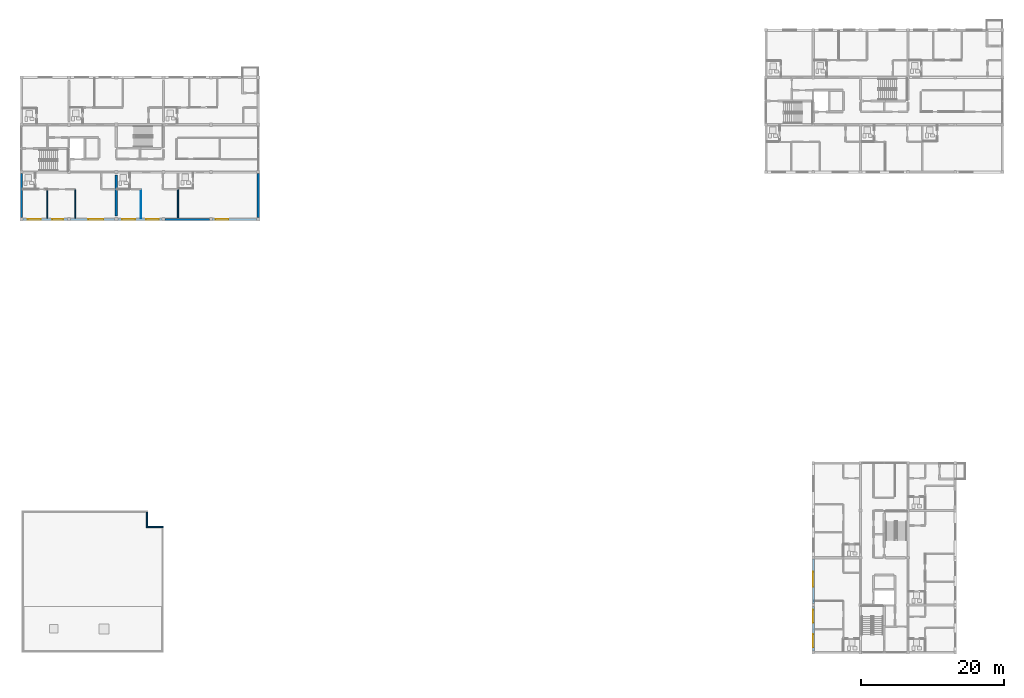
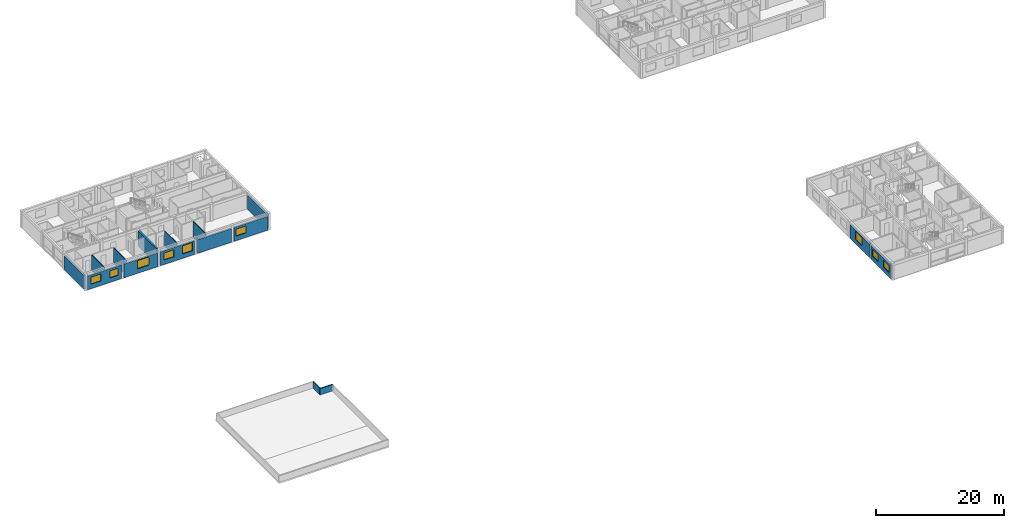
# One storey, part 16 of 34: 16 walls, 9 windows, 9 openings.
"""IFC4 building model written with IfcOpenShell, lengths in metres."""

from ifc_helpers import new_model, si_unit, direction, frame, frame_2d, origin, place, context, subcontext, project, spatial, rectangle, extrude, material, layer, layer_set, type_object, element, fill, save


model = new_model("IFC4")

# Units and contexts
model_context = context("Model", 3, precision=1e-05, world=origin(), true_north=direction((0.0, 1.0)))
body_context = subcontext(model_context, "Body", "Model", "MODEL_VIEW")
ifc_project = project(units=[si_unit("LENGTHUNIT", "METRE"), si_unit("AREAUNIT", "SQUARE_METRE"), si_unit("VOLUMEUNIT", "CUBIC_METRE"), si_unit("PLANEANGLEUNIT", "RADIAN"), si_unit("MASSUNIT", "GRAM", prefix="KILO")], contexts=[model_context])

# Site, building, storey
site_placement = place(None, origin())
site = spatial("IfcSite", under=ifc_project, at=site_placement, CompositionType="ELEMENT")
building_placement = place(site_placement, origin())
building = spatial("IfcBuilding", under=site, at=building_placement, Name="Kernevlak Ridge Housing Community", CompositionType="ELEMENT")
storey_placement = place(building_placement, frame((0.0, 0.0, 34.0)))
storey = spatial("IfcBuildingStorey", under=building, at=storey_placement, Name="L10", CompositionType="ELEMENT", Elevation=34.0)

# Wall, openings, windows
ifc_material_1 = material(Name="Concrete block masonry M10", Category="masonry")
ifc_layer_1 = layer(ifc_material_1, 0.280029296875, Name="Concrete block masonry M10")
ifc_layer_set_1 = layer_set([ifc_layer_1], Name="Concrete block masonry M10")
wall_type_1 = type_object("IfcWallType", Name="EW-03", PredefinedType="STANDARD", material=ifc_layer_set_1)
wall_1_placement = place(storey_placement, frame((15.824951171875, 76.0, 0.0), z_axis=(0.0, 0.0, 1.0), x_axis=(1.0, 0.0, 0.0)))
wall_1 = element("IfcWall", 1, at=wall_1_placement, inside=storey, type_object=wall_type_1, Name="Exterior wall EW-03 L10 157", PredefinedType="STANDARD", context=body_context, shape_type="SweptSolid", body=[
    extrude(rectangle(XDim=6.150146484375, YDim=0.280029296875, at=frame_2d((3.0751953125, 0.0))), origin(), (0.0, 0.0, 1.0), 2.60009765625),
])
opening_1_placement = place(wall_1_placement, frame((0.64990234375, 0.0, 0.85009765625)))
opening_1 = element("IfcOpeningElement", 2, at=opening_1_placement, cuts=wall_1, Name="Opening WT-03", PredefinedType="OPENING", context=body_context, shape_type="SweptSolid", body=[
    extrude(rectangle(XDim=1.800048828125, YDim=1.35009765625, at=frame_2d((0.89990234375, 0.675048828125))), frame((0.0, 0.14990234375, 0.0), z_axis=(0.0, -1.0, 0.0), x_axis=(1.0, 0.0, 0.0)), (0.0, 0.0, 1.0), 0.300048828125),
])
opening_2_placement = place(wall_1_placement, frame((4.074951171875, 0.0, 0.85009765625)))
opening_2 = element("IfcOpeningElement", 3, at=opening_2_placement, cuts=wall_1, Name="Opening WT-02", PredefinedType="OPENING", context=body_context, shape_type="SweptSolid", body=[
    extrude(rectangle(XDim=1.5, YDim=1.35009765625, at=frame_2d((0.75, 0.675048828125))), frame((0.0, 0.14990234375, 0.0), z_axis=(0.0, -1.0, 0.0), x_axis=(1.0, 0.0, 0.0)), (0.0, 0.0, 1.0), 0.300048828125),
])
ifc_material_2 = material(Name="Aluminium EN AW-6060 anodised and laminated glass", Category="aluminium")
window_type_1 = type_object("IfcWindowType", Name="WT-02", PartitioningType="SINGLE_PANEL", PredefinedType="WINDOW", material=ifc_material_2)
window_1_placement = place(opening_2_placement, origin())
window_1 = element("IfcWindow", 4, at=window_1_placement, inside=storey, type_object=window_type_1, Name="Window WT-02 L10 123", OverallHeight=1.35009765625, OverallWidth=1.5, PartitioningType="SINGLE_PANEL", PredefinedType="WINDOW", context=body_context, shape_type="SweptSolid", body=[
    extrude(rectangle(XDim=1.5, YDim=1.35009765625, at=frame_2d((0.75, 0.675048828125))), frame((0.0, 0.030029296875, 0.0), z_axis=(0.0, -1.0, 0.0), x_axis=(1.0, 0.0, 0.0)), (0.0, 0.0, 1.0), 0.06005859375),
])
fill(opening_2, window_1)
window_type_2 = type_object("IfcWindowType", Name="WT-03", PartitioningType="SINGLE_PANEL", PredefinedType="WINDOW", material=ifc_material_2)
window_2_placement = place(opening_1_placement, origin())
window_2 = element("IfcWindow", 5, at=window_2_placement, inside=storey, type_object=window_type_2, Name="Window WT-03 L10 122", OverallHeight=1.35009765625, OverallWidth=1.800048828125, PartitioningType="SINGLE_PANEL", PredefinedType="WINDOW", context=body_context, shape_type="SweptSolid", body=[
    extrude(rectangle(XDim=1.800048828125, YDim=1.35009765625, at=frame_2d((0.89990234375, 0.675048828125))), frame((0.0, 0.030029296875, 0.0), z_axis=(0.0, -1.0, 0.0), x_axis=(1.0, 0.0, 0.0)), (0.0, 0.0, 1.0), 0.06005859375),
])
fill(opening_1, window_2)

# Wall, opening, window
wall_2_placement = place(storey_placement, frame((22.425048828125, 76.0, 0.0), z_axis=(0.0, 0.0, 1.0), x_axis=(1.0, 0.0, 0.0)))
wall_2 = element("IfcWall", 6, at=wall_2_placement, inside=storey, type_object=wall_type_1, Name="Exterior wall EW-03 L10 158", PredefinedType="STANDARD", context=body_context, shape_type="SweptSolid", body=[
    extrude(rectangle(XDim=6.14990234375, YDim=0.280029296875, at=frame_2d((3.074951171875, 0.0))), origin(), (0.0, 0.0, 1.0), 2.60009765625),
])
opening_3_placement = place(wall_2_placement, frame((2.470947265625, 0.0, 0.85009765625)))
opening_3 = element("IfcOpeningElement", 7, at=opening_3_placement, cuts=wall_2, Name="Opening WT-05", PredefinedType="OPENING", context=body_context, shape_type="SweptSolid", body=[
    extrude(rectangle(XDim=2.10009765625, YDim=1.550048828125, at=frame_2d((1.050048828125, 0.77490234375))), frame((0.0, 0.14990234375, 0.0), z_axis=(0.0, -1.0, 0.0), x_axis=(1.0, 0.0, 0.0)), (0.0, 0.0, 1.0), 0.300048828125),
])
window_type_3 = type_object("IfcWindowType", Name="WT-05", PartitioningType="SINGLE_PANEL", PredefinedType="WINDOW", material=ifc_material_2)
window_3_placement = place(opening_3_placement, origin())
window_3 = element("IfcWindow", 8, at=window_3_placement, inside=storey, type_object=window_type_3, Name="Window WT-05 L10 124", OverallHeight=1.550048828125, OverallWidth=2.10009765625, PartitioningType="SINGLE_PANEL", PredefinedType="WINDOW", context=body_context, shape_type="SweptSolid", body=[
    extrude(rectangle(XDim=2.10009765625, YDim=1.550048828125, at=frame_2d((1.050048828125, 0.77490234375))), frame((0.0, 0.030029296875, 0.0), z_axis=(0.0, -1.0, 0.0), x_axis=(1.0, 0.0, 0.0)), (0.0, 0.0, 1.0), 0.06005859375),
])
fill(opening_3, window_3)

# Wall, openings, windows
wall_3_placement = place(storey_placement, frame((29.02490234375, 76.0, 0.0), z_axis=(0.0, 0.0, 1.0), x_axis=(1.0, 0.0, 0.0)))
wall_3 = element("IfcWall", 9, at=wall_3_placement, inside=storey, type_object=wall_type_1, Name="Exterior wall EW-03 L10 159", PredefinedType="STANDARD", context=body_context, shape_type="SweptSolid", body=[
    extrude(rectangle(XDim=6.150146484375, YDim=0.280029296875, at=frame_2d((3.0751953125, 0.0))), origin(), (0.0, 0.0, 1.0), 2.60009765625),
])
opening_4_placement = place(wall_3_placement, frame((0.60009765625, 0.0, 0.85009765625)))
opening_4 = element("IfcOpeningElement", 10, at=opening_4_placement, cuts=wall_3, Name="Opening WT-03", PredefinedType="OPENING", context=body_context, shape_type="SweptSolid", body=[
    extrude(rectangle(XDim=1.800048828125, YDim=1.35009765625, at=frame_2d((0.89990234375, 0.675048828125))), frame((0.0, 0.14990234375, 0.0), z_axis=(0.0, -1.0, 0.0), x_axis=(1.0, 0.0, 0.0)), (0.0, 0.0, 1.0), 0.300048828125),
])
opening_5_placement = place(wall_3_placement, frame((3.925048828125, 0.0, 0.85009765625)))
opening_5 = element("IfcOpeningElement", 11, at=opening_5_placement, cuts=wall_3, Name="Opening WT-04", PredefinedType="OPENING", context=body_context, shape_type="SweptSolid", body=[
    extrude(rectangle(XDim=1.800048828125, YDim=1.550048828125, at=frame_2d((0.89990234375, 0.77490234375))), frame((0.0, 0.14990234375, 0.0), z_axis=(0.0, -1.0, 0.0), x_axis=(1.0, 0.0, 0.0)), (0.0, 0.0, 1.0), 0.300048828125),
])
window_4_placement = place(opening_4_placement, origin())
window_4 = element("IfcWindow", 12, at=window_4_placement, inside=storey, type_object=window_type_2, Name="Window WT-03 L10 125", OverallHeight=1.35009765625, OverallWidth=1.800048828125, PartitioningType="SINGLE_PANEL", PredefinedType="WINDOW", context=body_context, shape_type="SweptSolid", body=[
    extrude(rectangle(XDim=1.800048828125, YDim=1.35009765625, at=frame_2d((0.89990234375, 0.675048828125))), frame((0.0, 0.030029296875, 0.0), z_axis=(0.0, -1.0, 0.0), x_axis=(1.0, 0.0, 0.0)), (0.0, 0.0, 1.0), 0.06005859375),
])
fill(opening_4, window_4)
window_type_4 = type_object("IfcWindowType", Name="WT-04", PartitioningType="SINGLE_PANEL", PredefinedType="WINDOW", material=ifc_material_2)
window_5_placement = place(opening_5_placement, origin())
window_5 = element("IfcWindow", 13, at=window_5_placement, inside=storey, type_object=window_type_4, Name="Window WT-04 L10 126", OverallHeight=1.550048828125, OverallWidth=1.800048828125, PartitioningType="SINGLE_PANEL", PredefinedType="WINDOW", context=body_context, shape_type="SweptSolid", body=[
    extrude(rectangle(XDim=1.800048828125, YDim=1.550048828125, at=frame_2d((0.89990234375, 0.77490234375))), frame((0.0, 0.030029296875, 0.0), z_axis=(0.0, -1.0, 0.0), x_axis=(1.0, 0.0, 0.0)), (0.0, 0.0, 1.0), 0.06005859375),
])
fill(opening_5, window_5)

# Wall
wall_4_placement = place(storey_placement, frame((35.625, 76.0, 0.0), z_axis=(0.0, 0.0, 1.0), x_axis=(1.0, 0.0, 0.0)))
element("IfcWall", 14, at=wall_4_placement, inside=storey, type_object=wall_type_1, Name="Exterior wall EW-03 L10 160", PredefinedType="STANDARD", context=body_context, shape_type="SweptSolid", body=[
    extrude(rectangle(XDim=6.14990234375, YDim=0.280029296875, at=frame_2d((3.074951171875, 0.0))), origin(), (0.0, 0.0, 1.0), 2.60009765625),
])

# Wall, opening, window
wall_5_placement = place(storey_placement, frame((42.22509765625, 76.0, 0.0), z_axis=(0.0, 0.0, 1.0), x_axis=(1.0, 0.0, 0.0)))
wall_5 = element("IfcWall", 15, at=wall_5_placement, inside=storey, type_object=wall_type_1, Name="Exterior wall EW-03 L10 161", PredefinedType="STANDARD", context=body_context, shape_type="SweptSolid", body=[
    extrude(rectangle(XDim=6.14990234375, YDim=0.280029296875, at=frame_2d((3.074951171875, 0.0))), origin(), (0.0, 0.0, 1.0), 2.60009765625),
])
opening_6_placement = place(wall_5_placement, frame((0.425048828125, 0.0, 0.85009765625)))
opening_6 = element("IfcOpeningElement", 16, at=opening_6_placement, cuts=wall_5, Name="Opening WT-03", PredefinedType="OPENING", context=body_context, shape_type="SweptSolid", body=[
    extrude(rectangle(XDim=1.800048828125, YDim=1.35009765625, at=frame_2d((0.89990234375, 0.675048828125))), frame((0.0, 0.14990234375, 0.0), z_axis=(0.0, -1.0, 0.0), x_axis=(1.0, 0.0, 0.0)), (0.0, 0.0, 1.0), 0.300048828125),
])
window_6_placement = place(opening_6_placement, origin())
window_6 = element("IfcWindow", 17, at=window_6_placement, inside=storey, type_object=window_type_2, Name="Window WT-03 L10 127", OverallHeight=1.35009765625, OverallWidth=1.800048828125, PartitioningType="SINGLE_PANEL", PredefinedType="WINDOW", context=body_context, shape_type="SweptSolid", body=[
    extrude(rectangle(XDim=1.800048828125, YDim=1.35009765625, at=frame_2d((0.89990234375, 0.675048828125))), frame((0.0, 0.030029296875, 0.0), z_axis=(0.0, -1.0, 0.0), x_axis=(1.0, 0.0, 0.0)), (0.0, 0.0, 1.0), 0.06005859375),
])
fill(opening_6, window_6)

# Walls
for number, where, z_axis, x_axis, name in (
    (18, (15.60009765625, 76.22509765625, 0.0), (0.0, 0.0, 1.0), (0.0, 1.0, 0.0), "Exterior wall EW-03 L10 169"),
    (19, (48.60009765625, 76.22509765625, 0.0), (0.0, 0.0, 1.0), (0.0, 1.0, 0.0), "Exterior wall EW-03 L10 171"),
):
    element("IfcWall", number, at=place(storey_placement, frame(where, z_axis=z_axis, x_axis=x_axis)), inside=storey, type_object=wall_type_1, Name=name, PredefinedType="STANDARD", context=body_context, shape_type="SweptSolid", body=[
        extrude(rectangle(XDim=6.14990234375, YDim=0.280029296875, at=frame_2d((3.074951171875, 0.0))), origin(), (0.0, 0.0, 1.0), 2.64990234375),
    ])

# Wall, openings, windows
wall_6_placement = place(storey_placement, frame((126.0, 15.800048828125, 0.0), z_axis=(0.0, 0.0, 1.0), x_axis=(0.0, 1.0, 0.0)))
wall_6 = element("IfcWall", 20, at=wall_6_placement, inside=storey, type_object=wall_type_1, Name="Exterior wall EW-03 L10 670", PredefinedType="STANDARD", context=body_context, shape_type="SweptSolid", body=[
    extrude(rectangle(XDim=6.199951171875, YDim=0.280029296875, at=frame_2d((3.10009765625, 0.0))), origin(), (0.0, 0.0, 1.0), 2.60009765625),
])
opening_7_placement = place(wall_6_placement, frame((0.52490234375, 0.0, 0.85009765625)))
opening_7 = element("IfcOpeningElement", 21, at=opening_7_placement, cuts=wall_6, Name="Opening WT-03", PredefinedType="OPENING", context=body_context, shape_type="SweptSolid", body=[
    extrude(rectangle(XDim=1.800048828125, YDim=1.35009765625, at=frame_2d((0.89990234375, 0.675048828125))), frame((0.0, 0.14990234375, 0.0), z_axis=(0.0, -1.0, 0.0), x_axis=(1.0, 0.0, 0.0)), (0.0, 0.0, 1.0), 0.300048828125),
])
opening_8_placement = place(wall_6_placement, frame((3.949951171875, 0.0, 0.85009765625)))
opening_8 = element("IfcOpeningElement", 22, at=opening_8_placement, cuts=wall_6, Name="Opening WT-03", PredefinedType="OPENING", context=body_context, shape_type="SweptSolid", body=[
    extrude(rectangle(XDim=1.800048828125, YDim=1.35009765625, at=frame_2d((0.89990234375, 0.675048828125))), frame((0.0, 0.14990234375, 0.0), z_axis=(0.0, -1.0, 0.0), x_axis=(1.0, 0.0, 0.0)), (0.0, 0.0, 1.0), 0.300048828125),
])
window_7_placement = place(opening_7_placement, origin())
window_7 = element("IfcWindow", 23, at=window_7_placement, inside=storey, type_object=window_type_2, Name="Window WT-03 L10 544", OverallHeight=1.35009765625, OverallWidth=1.800048828125, PartitioningType="SINGLE_PANEL", PredefinedType="WINDOW", context=body_context, shape_type="SweptSolid", body=[
    extrude(rectangle(XDim=1.800048828125, YDim=1.35009765625, at=frame_2d((0.89990234375, 0.675048828125))), frame((0.0, 0.030029296875, 0.0), z_axis=(0.0, -1.0, 0.0), x_axis=(1.0, 0.0, 0.0)), (0.0, 0.0, 1.0), 0.06005859375),
])
fill(opening_7, window_7)
window_8_placement = place(opening_8_placement, origin())
window_8 = element("IfcWindow", 24, at=window_8_placement, inside=storey, type_object=window_type_2, Name="Window WT-03 L10 545", OverallHeight=1.35009765625, OverallWidth=1.800048828125, PartitioningType="SINGLE_PANEL", PredefinedType="WINDOW", context=body_context, shape_type="SweptSolid", body=[
    extrude(rectangle(XDim=1.800048828125, YDim=1.35009765625, at=frame_2d((0.89990234375, 0.675048828125))), frame((0.0, 0.030029296875, 0.0), z_axis=(0.0, -1.0, 0.0), x_axis=(1.0, 0.0, 0.0)), (0.0, 0.0, 1.0), 0.06005859375),
])
fill(opening_8, window_8)

# Wall, opening, window
wall_7_placement = place(storey_placement, frame((126.0, 22.39990234375, 0.0), z_axis=(0.0, 0.0, 1.0), x_axis=(0.0, 1.0, 0.0)))
wall_7 = element("IfcWall", 25, at=wall_7_placement, inside=storey, type_object=wall_type_1, Name="Exterior wall EW-03 L10 671", PredefinedType="STANDARD", context=body_context, shape_type="SweptSolid", body=[
    extrude(rectangle(XDim=6.2001953125, YDim=0.280029296875, at=frame_2d((3.10009765625, 0.0))), origin(), (0.0, 0.0, 1.0), 2.60009765625),
])
opening_9_placement = place(wall_7_placement, frame((2.345947265625, 0.0, 0.85009765625)))
opening_9 = element("IfcOpeningElement", 26, at=opening_9_placement, cuts=wall_7, Name="Opening WT-05", PredefinedType="OPENING", context=body_context, shape_type="SweptSolid", body=[
    extrude(rectangle(XDim=2.10009765625, YDim=1.550048828125, at=frame_2d((1.050048828125, 0.77490234375))), frame((0.0, 0.14990234375, 0.0), z_axis=(0.0, -1.0, 0.0), x_axis=(1.0, 0.0, 0.0)), (0.0, 0.0, 1.0), 0.300048828125),
])
window_9_placement = place(opening_9_placement, origin())
window_9 = element("IfcWindow", 27, at=window_9_placement, inside=storey, type_object=window_type_3, Name="Window WT-05 L10 546", OverallHeight=1.550048828125, OverallWidth=2.10009765625, PartitioningType="SINGLE_PANEL", PredefinedType="WINDOW", context=body_context, shape_type="SweptSolid", body=[
    extrude(rectangle(XDim=2.10009765625, YDim=1.550048828125, at=frame_2d((1.050048828125, 0.77490234375))), frame((0.0, 0.030029296875, 0.0), z_axis=(0.0, -1.0, 0.0), x_axis=(1.0, 0.0, 0.0)), (0.0, 0.0, 1.0), 0.06005859375),
])
fill(opening_9, window_9)

# Walls
ifc_material_3 = material(Name="Concrete C35/45", Category="concrete")
ifc_layer_2 = layer(ifc_material_3, 0.199951171875, Name="Concrete C35/45")
ifc_layer_set_2 = layer_set([ifc_layer_2], Name="Concrete C35/45")
wall_type_2 = type_object("IfcWallType", Name="PR-01", PredefinedType="PARAPET", material=ifc_layer_set_2)
wall_8_placement = place(storey_placement, frame((35.3798828125, 33.080078125, 0.0), z_axis=(0.0, 0.0, 1.0), x_axis=(-1.0, 0.0, 0.0)))
element("IfcWall", 28, at=wall_8_placement, inside=storey, type_object=wall_type_2, Name="Block D roof parapet wall 3", PredefinedType="PARAPET", context=body_context, shape_type="SweptSolid", body=[
    extrude(rectangle(XDim=2.39990234375, YDim=0.199951171875, at=frame_2d((1.199951171875, 0.0))), origin(), (0.0, 0.0, 1.0), 1.199951171875),
])
wall_9_placement = place(storey_placement, frame((33.080078125, 33.179931640625, 0.0), z_axis=(0.0, 0.0, 1.0), x_axis=(0.0, 1.0, 0.0)))
element("IfcWall", 29, at=wall_9_placement, inside=storey, type_object=wall_type_2, Name="Block D roof parapet wall 4", PredefinedType="PARAPET", context=body_context, shape_type="SweptSolid", body=[
    extrude(rectangle(XDim=2.0, YDim=0.199951171875, at=frame_2d((1.0, 0.0))), origin(), (0.0, 0.0, 1.0), 1.199951171875),
])
ifc_layer_3 = layer(ifc_material_1, 0.175048828125, Name="Concrete block masonry M10")
ifc_layer_set_3 = layer_set([ifc_layer_3], Name="Concrete block masonry M10")
wall_type_3 = type_object("IfcWallType", Name="PW-02", PredefinedType="PARTITIONING", material=ifc_layer_set_3)
wall_10_placement = place(storey_placement, frame((37.39990234375, 80.112548828125, 0.0), z_axis=(0.0, 0.0, 1.0), x_axis=(0.0, -1.0, 0.0)))
element("IfcWall", 30, at=wall_10_placement, inside=storey, type_object=wall_type_3, Name="Interior wall PW-02 WAL-INT-L10-0667-S2", PredefinedType="PARTITIONING", context=body_context, shape_type="SweptSolid", body=[
    extrude(rectangle(XDim=3.882568359375, YDim=0.175048828125, at=frame_2d((1.94140625, 0.0))), origin(), (0.0, 0.0, 1.0), 2.969970703125),
])
ifc_layer_4 = layer(ifc_material_1, 0.14501953125, Name="Concrete block masonry M10")
ifc_layer_set_4 = layer_set([ifc_layer_4], Name="Concrete block masonry M10")
wall_type_4 = type_object("IfcWallType", Name="PW-03", PredefinedType="PARTITIONING", material=ifc_layer_set_4)
wall_11_placement = place(storey_placement, frame((19.14990234375, 80.1201171875, 0.0), z_axis=(0.0, 0.0, 1.0), x_axis=(0.0, -1.0, 0.0)))
element("IfcWall", 31, at=wall_11_placement, inside=storey, type_object=wall_type_4, Name="Interior wall PW-03 WAL-INT-L10-0657", PredefinedType="PARTITIONING", context=body_context, shape_type="SweptSolid", body=[
    extrude(rectangle(XDim=3.97021484375, YDim=0.14501953125, at=frame_2d((1.985107421875, 0.0))), origin(), (0.0, 0.0, 1.0), 2.969970703125),
])
wall_12_placement = place(storey_placement, frame((23.092041015625, 80.117431640625, 0.0), z_axis=(0.0, 0.0, 1.0), x_axis=(0.0, -1.0, 0.0)))
element("IfcWall", 32, at=wall_12_placement, inside=storey, type_object=wall_type_4, Name="Interior wall PW-03 WAL-INT-L10-0659", PredefinedType="PARTITIONING", context=body_context, shape_type="SweptSolid", body=[
    extrude(rectangle(XDim=3.967529296875, YDim=0.14501953125, at=frame_2d((1.98388671875, 0.0))), origin(), (0.0, 0.0, 1.0), 2.969970703125),
])
ifc_material_4 = material(Name="Gypsum plasterboard EN 520", Category="gypsum")
ifc_layer_5 = layer(ifc_material_4, 0.10498046875, Name="Gypsum plasterboard EN 520")
ifc_layer_set_5 = layer_set([ifc_layer_5], Name="Gypsum plasterboard EN 520")
wall_type_5 = type_object("IfcWallType", Name="PW-06", PredefinedType="PARTITIONING", material=ifc_layer_set_5)
wall_13_placement = place(storey_placement, frame((32.25, 80.117431640625, 0.0), z_axis=(0.0, 0.0, 1.0), x_axis=(0.0, -1.0, 0.0)))
element("IfcWall", 33, at=wall_13_placement, inside=storey, type_object=wall_type_5, Name="Interior wall PW-06 WAL-INT-L10-0666", PredefinedType="PARTITIONING", context=body_context, shape_type="SweptSolid", body=[
    extrude(rectangle(XDim=3.967529296875, YDim=0.10498046875, at=frame_2d((1.98388671875, 0.0))), origin(), (0.0, 0.0, 1.0), 2.969970703125),
])
ifc_material_5 = material(Name="Concrete C40/50", Category="concrete")
ifc_layer_6 = layer(ifc_material_5, 0.300048828125, Name="Concrete C40/50")
ifc_layer_set_6 = layer_set([ifc_layer_6], Name="Concrete C40/50")
wall_type_6 = type_object("IfcWallType", Name="SW-02", PredefinedType="SHEAR", material=ifc_layer_set_6)
wall_14_placement = place(storey_placement, frame((28.800048828125, 76.449951171875, 0.0), z_axis=(0.0, 0.0, 1.0), x_axis=(0.0, 1.0, 0.0)))
element("IfcWall", 34, at=wall_14_placement, inside=storey, type_object=wall_type_6, Name="Shear wall SW-02 Block A L10 118", PredefinedType="SHEAR", context=body_context, shape_type="SweptSolid", body=[
    extrude(rectangle(XDim=5.699951171875, YDim=0.300048828125, at=frame_2d((2.85009765625, 0.0))), origin(), (0.0, 0.0, 1.0), 2.969970703125),
])

save(model, "model.ifc")
